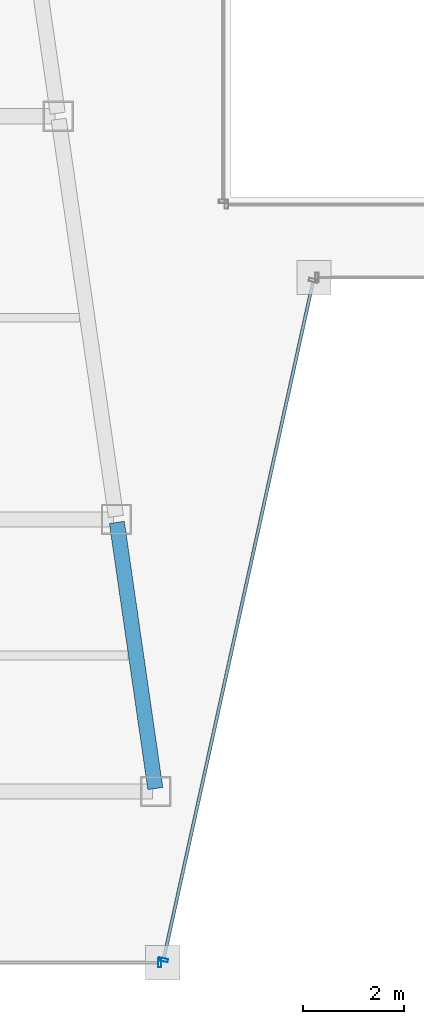
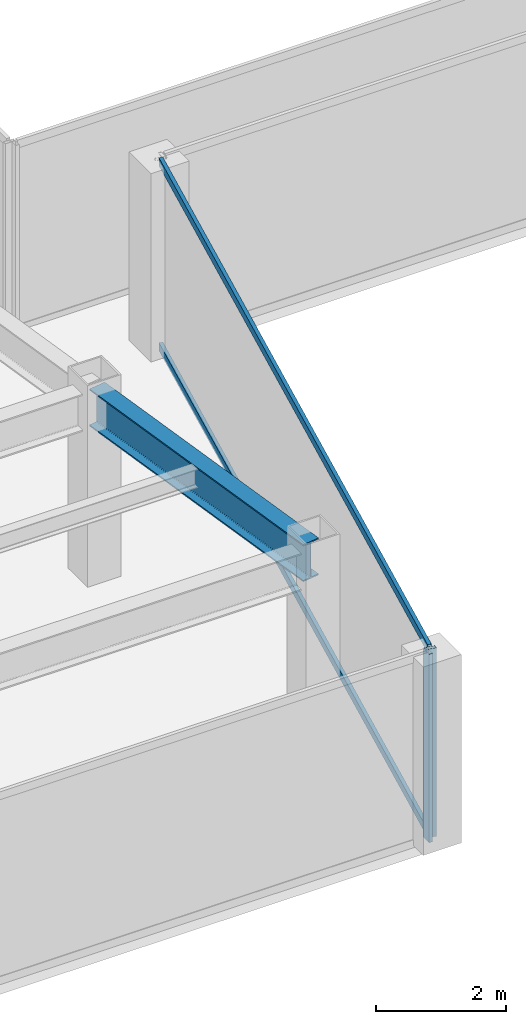
# One storey, part 5 of 37: 4 members, 1 beam, 2 elements without a shape of their own.
"""IFC4 building model written with IfcOpenShell, lengths in metres."""

from ifc_helpers import new_model, si_unit, direction, frame, origin, origin_2d, place, context, subcontext, project, spatial, hollow_rectangle, i_section, extrude, material, material_profile, profile_set, type_object, element, aggregate, save


model = new_model("IFC4")

# Units and contexts
model_context = context("Model", 3, precision=1e-05, world=origin(), true_north=direction((0.0, 1.0)))
body_context = subcontext(model_context, "Body", "Model", "MODEL_VIEW")
ifc_project = project(units=[si_unit("LENGTHUNIT", "METRE"), si_unit("AREAUNIT", "SQUARE_METRE"), si_unit("VOLUMEUNIT", "CUBIC_METRE"), si_unit("PLANEANGLEUNIT", "RADIAN"), si_unit("MASSUNIT", "GRAM", prefix="KILO")], contexts=[model_context])

# Site, building, storey
site_placement = place(None, origin())
site = spatial("IfcSite", under=ifc_project, at=site_placement, CompositionType="ELEMENT")
building_placement = place(site_placement, origin())
building = spatial("IfcBuilding", under=site, at=building_placement, Name="Saevonmaru Cultural Tower", CompositionType="ELEMENT")
storey_placement = place(building_placement, frame((0.0, 0.0, 144.800048828125)))
storey = spatial("IfcBuildingStorey", under=building, at=storey_placement, Name="L31", CompositionType="ELEMENT", Elevation=144.800048828125)

# Beam
ifc_material_1 = material(Name="Steel SM355", Category="steel")
ifc_material_profile_1 = material_profile(ifc_material_1, i_section(OverallWidth=0.300048828125, OverallDepth=0.699951171875, WebThickness=0.012939453125, FlangeThickness=0.02392578125, FilletRadius=0.02587890625, at=origin_2d()), Name="H-700x300x13x24")
ifc_profile_set_1 = profile_set([ifc_material_profile_1], Name="Steel SM355")
beam_type = type_object("IfcBeamType", Name="BM-G-H700", PredefinedType="BEAM", material=ifc_profile_set_1)
beam_placement = place(storey_placement, frame((22.699462890625, 10.659423828125, 3.199951171875), z_axis=(-0.142977693794, 0.989725911087, 0.0), x_axis=(-0.989725911087, -0.142977693794, 0.0)))
element("IfcBeam", 1, at=beam_placement, inside=storey, type_object=beam_type, Name="L31 West Atrium Girder 1", PredefinedType="BEAM", context=body_context, shape_type="SweptSolid", body=[
    extrude(i_section(OverallWidth=0.300048828125, OverallDepth=0.699951171875, WebThickness=0.012939453125, FlangeThickness=0.02392578125, FilletRadius=0.02587890625, at=origin_2d()), origin(), (0.0, 0.0, 1.0), 5.336181640625),
])

# Curtain wall, member
ifc_material_2 = material(Name="Satin Bronze Anodised Aluminium", Category="aluminium")
curtain_wall_type = type_object("IfcCurtainWallType", Name="CW-TYP-A", PredefinedType="NOTDEFINED", material=ifc_material_2)
curtain_wall_1_placement = place(storey_placement, origin())
curtain_wall_1 = element("IfcCurtainWall", 2, at=curtain_wall_1_placement, inside=storey, type_object=curtain_wall_type, Name="L31 Unitised Curtain Wall E2", PredefinedType="NOTDEFINED")
ifc_material_profile_2 = material_profile(ifc_material_2, hollow_rectangle(XDim=0.06494140625, YDim=0.179931640625, WallThickness=0.00390625, at=origin_2d()), Name="ALU-MULL-180x65x4")
ifc_profile_set_2 = profile_set([ifc_material_profile_2], Name="Satin Bronze Anodised Aluminium")
member_type_1 = type_object("IfcMemberType", Name="ML-CW-180x65", PredefinedType="MULLION", material=ifc_profile_set_2)
member_1_placement = place(storey_placement, frame((22.788818359375, 7.199951171875, 0.0), z_axis=(0.0, 0.0, 1.0), x_axis=(1.0, 0.0, 0.0)))
member_1 = element("IfcMember", 3, at=member_1_placement, type_object=member_type_1, Name="CW-TW-L31-E2 mullion 2", PredefinedType="MULLION", context=body_context, shape_type="SweptSolid", body=[
    extrude(hollow_rectangle(XDim=0.06494140625, YDim=0.179931640625, WallThickness=0.00390625, at=origin_2d()), origin(), (0.0, 0.0, 1.0), 3.550048828125),
])
aggregate(curtain_wall_1, [member_1])

# Curtain wall, members
curtain_wall_2_placement = place(storey_placement, origin())
curtain_wall_2 = element("IfcCurtainWall", 4, at=curtain_wall_2_placement, inside=storey, type_object=curtain_wall_type, Name="L31 Unitised Curtain Wall E3", PredefinedType="NOTDEFINED")
member_2_placement = place(storey_placement, frame((22.86181640625, 7.258544921875, 0.0), z_axis=(0.0, 0.0, 1.0), x_axis=(0.215413319953, 0.976522965212, 0.0)))
member_2 = element("IfcMember", 5, at=member_2_placement, type_object=member_type_1, Name="CW-TW-L31-E3 mullion 1", PredefinedType="MULLION", context=body_context, shape_type="SweptSolid", body=[
    extrude(hollow_rectangle(XDim=0.06494140625, YDim=0.179931640625, WallThickness=0.00390625, at=origin_2d()), origin(), (0.0, 0.0, 1.0), 3.550048828125),
])
ifc_material_profile_3 = material_profile(ifc_material_2, hollow_rectangle(XDim=0.06494140625, YDim=0.14990234375, WallThickness=0.00390625, at=origin_2d()), Name="ALU-TRAN-150x65x4")
ifc_profile_set_3 = profile_set([ifc_material_profile_3], Name="Satin Bronze Anodised Aluminium")
member_type_2 = type_object("IfcMemberType", Name="TR-CW-150x65", PredefinedType="USERDEFINED", material=ifc_profile_set_3)
member_3_placement = place(storey_placement, frame((22.868896484375, 7.290283203125, 0.032470703125), z_axis=(0.21541214732, 0.976523223885, 0.0), x_axis=(-0.976523223885, 0.21541214732, 0.0)))
member_3 = element("IfcMember", 6, at=member_3_placement, type_object=member_type_2, Name="CW-TW-L31-E3 transom 1.1", ObjectType="TRANSOM", PredefinedType="USERDEFINED", context=body_context, shape_type="SweptSolid", body=[
    extrude(hollow_rectangle(XDim=0.06494140625, YDim=0.14990234375, WallThickness=0.00390625, at=origin_2d()), origin(), (0.0, 0.0, 1.0), 13.741943359375),
])
member_4_placement = place(storey_placement, frame((22.868896484375, 7.290283203125, 3.517333984375), z_axis=(0.21541214732, 0.976523223885, 0.0), x_axis=(-0.976523223885, 0.21541214732, 0.0)))
member_4 = element("IfcMember", 7, at=member_4_placement, type_object=member_type_2, Name="CW-TW-L31-E3 transom 1.2", ObjectType="TRANSOM", PredefinedType="USERDEFINED", context=body_context, shape_type="SweptSolid", body=[
    extrude(hollow_rectangle(XDim=0.06494140625, YDim=0.14990234375, WallThickness=0.00390625, at=origin_2d()), origin(), (0.0, 0.0, 1.0), 13.741943359375),
])
aggregate(curtain_wall_2, [member_2, member_3, member_4])

save(model, "model.ifc")
